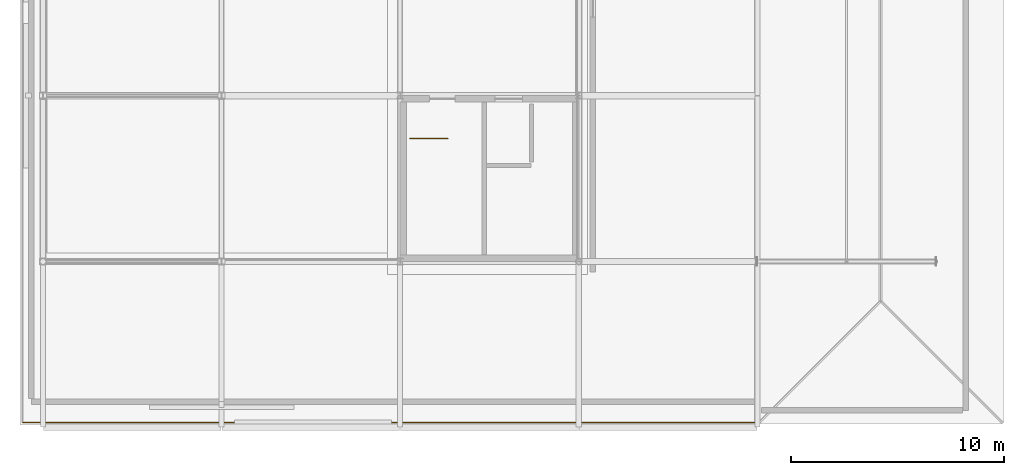
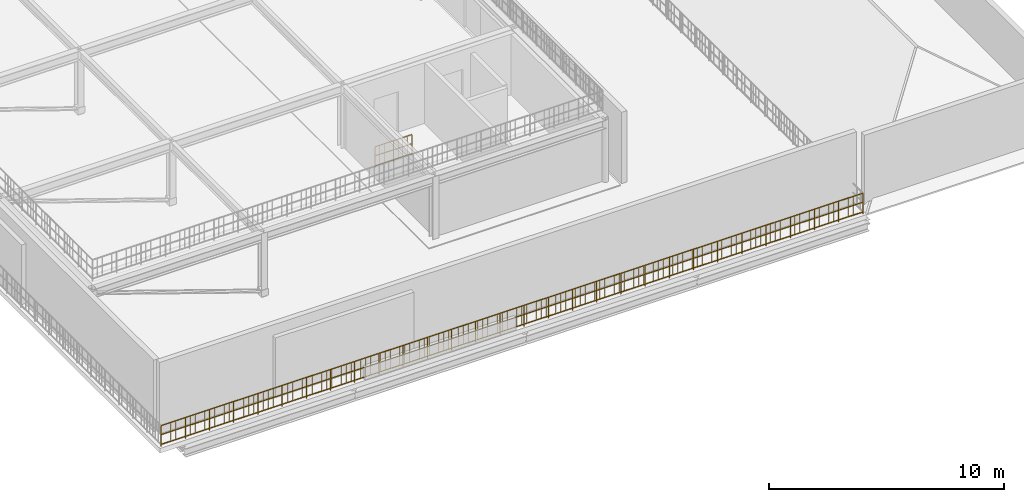
# One storey, part 9 of 16: 2 railings.
"""IFC4 building model written with IfcOpenShell, lengths in metres."""

from ifc_helpers import new_model, si_unit, direction, frame, origin, origin_2d, place, context, subcontext, project, spatial, circle, extrude, material, layer, layer_set, type_object, element, save


model = new_model("IFC4")

# Units and contexts
model_context = context("Model", 3, precision=1e-05, world=origin(), true_north=direction((0.0, 1.0)))
body_context = subcontext(model_context, "Body", "Model", "MODEL_VIEW")
ifc_project = project(units=[si_unit("LENGTHUNIT", "METRE"), si_unit("AREAUNIT", "SQUARE_METRE"), si_unit("VOLUMEUNIT", "CUBIC_METRE"), si_unit("PLANEANGLEUNIT", "RADIAN"), si_unit("MASSUNIT", "GRAM", prefix="KILO")], contexts=[model_context])

# Site, building, storey
site_placement = place(None, origin())
site = spatial("IfcSite", under=ifc_project, at=site_placement, CompositionType="ELEMENT")
building_placement = place(site_placement, origin())
building = spatial("IfcBuilding", under=site, at=building_placement, Name="Nabrawat Pavilion Hospital", CompositionType="ELEMENT")
storey_placement = place(building_placement, frame((0.0, 0.0, 35.10009765625)))
storey = spatial("IfcBuildingStorey", under=building, at=storey_placement, Name="Roof", CompositionType="ELEMENT", Elevation=35.10009765625)

# Railings
ifc_material = material(Name="Stainless Steel 316", Category="steel")
ifc_layer_1 = layer(ifc_material, 0.070068359375, Name="Stainless Steel 316")
ifc_layer_set_1 = layer_set([ifc_layer_1], Name="Stainless Steel 316")
railing_type_1 = type_object("IfcRailingType", Name="Exterior Clinical Terrace Safety Guardrail 1100", PredefinedType="GUARDRAIL", material=ifc_layer_set_1)
railing_1_placement = place(storey_placement, frame((150.239990234375, 39.239990234375, 0.0)))
element("IfcRailing", 1, at=railing_1_placement, inside=storey, type_object=railing_type_1, Name="Roof Headhouse Terrace Safety Guardrail South", PredefinedType="GUARDRAIL", context=body_context, shape_type="SweptSolid", body=[
    extrude(circle(Radius=0.02392578125, at=origin_2d()), frame((0.0, 0.0, 1.076171875), z_axis=(1.0, 0.0, 0.0), x_axis=(0.0, 1.0, 0.0)), (0.0, 0.0, 1.0), 34.43994140625),
    extrude(circle(Radius=0.02392578125, at=origin_2d()), frame((0.0, 0.0, 0.10009765625), z_axis=(1.0, 0.0, 0.0), x_axis=(0.0, 1.0, 0.0)), (0.0, 0.0, 1.0), 34.43994140625),
    extrude(circle(Radius=0.02392578125, at=origin_2d()), frame((0.0, 0.0, 0.60498046875), z_axis=(1.0, 0.0, 0.0), x_axis=(0.0, 1.0, 0.0)), (0.0, 0.0, 1.0), 34.43994140625),
    extrude(circle(Radius=0.008056640625, at=origin_2d()), frame((0.2392578125, 0.0, 0.10009765625)), (0.0, 0.0, 1.0), 0.951904296875),
    extrude(circle(Radius=0.008056640625, at=origin_2d()), frame((0.478271484375, 0.0, 0.10009765625)), (0.0, 0.0, 1.0), 0.951904296875),
    extrude(circle(Radius=0.008056640625, at=origin_2d()), frame((0.717529296875, 0.0, 0.10009765625)), (0.0, 0.0, 1.0), 0.951904296875),
    extrude(circle(Radius=0.008056640625, at=origin_2d()), frame((0.95654296875, 0.0, 0.10009765625)), (0.0, 0.0, 1.0), 0.951904296875),
    extrude(circle(Radius=0.008056640625, at=origin_2d()), frame((1.43505859375, 0.0, 0.10009765625)), (0.0, 0.0, 1.0), 0.951904296875),
    extrude(circle(Radius=0.008056640625, at=origin_2d()), frame((1.674072265625, 0.0, 0.10009765625)), (0.0, 0.0, 1.0), 0.951904296875),
    extrude(circle(Radius=0.008056640625, at=origin_2d()), frame((1.913330078125, 0.0, 0.10009765625)), (0.0, 0.0, 1.0), 0.951904296875),
    extrude(circle(Radius=0.008056640625, at=origin_2d()), frame((2.152587890625, 0.0, 0.10009765625)), (0.0, 0.0, 1.0), 0.951904296875),
    extrude(circle(Radius=0.008056640625, at=origin_2d()), frame((2.630859375, 0.0, 0.10009765625)), (0.0, 0.0, 1.0), 0.951904296875),
    extrude(circle(Radius=0.008056640625, at=origin_2d()), frame((2.8701171875, 0.0, 0.10009765625)), (0.0, 0.0, 1.0), 0.951904296875),
    extrude(circle(Radius=0.008056640625, at=origin_2d()), frame((3.109130859375, 0.0, 0.10009765625)), (0.0, 0.0, 1.0), 0.951904296875),
    extrude(circle(Radius=0.008056640625, at=origin_2d()), frame((3.348388671875, 0.0, 0.10009765625)), (0.0, 0.0, 1.0), 0.951904296875),
    extrude(circle(Radius=0.008056640625, at=origin_2d()), frame((3.82666015625, 0.0, 0.10009765625)), (0.0, 0.0, 1.0), 0.951904296875),
    extrude(circle(Radius=0.008056640625, at=origin_2d()), frame((4.06591796875, 0.0, 0.10009765625)), (0.0, 0.0, 1.0), 0.951904296875),
    extrude(circle(Radius=0.008056640625, at=origin_2d()), frame((4.304931640625, 0.0, 0.10009765625)), (0.0, 0.0, 1.0), 0.951904296875),
    extrude(circle(Radius=0.008056640625, at=origin_2d()), frame((4.544189453125, 0.0, 0.10009765625)), (0.0, 0.0, 1.0), 0.951904296875),
    extrude(circle(Radius=0.008056640625, at=origin_2d()), frame((5.0224609375, 0.0, 0.10009765625)), (0.0, 0.0, 1.0), 0.951904296875),
    extrude(circle(Radius=0.008056640625, at=origin_2d()), frame((5.26171875, 0.0, 0.10009765625)), (0.0, 0.0, 1.0), 0.951904296875),
    extrude(circle(Radius=0.008056640625, at=origin_2d()), frame((5.500732421875, 0.0, 0.10009765625)), (0.0, 0.0, 1.0), 0.951904296875),
    extrude(circle(Radius=0.008056640625, at=origin_2d()), frame((5.739990234375, 0.0, 0.10009765625)), (0.0, 0.0, 1.0), 0.951904296875),
    extrude(circle(Radius=0.008056640625, at=origin_2d()), frame((6.21826171875, 0.0, 0.10009765625)), (0.0, 0.0, 1.0), 0.951904296875),
    extrude(circle(Radius=0.008056640625, at=origin_2d()), frame((6.45751953125, 0.0, 0.10009765625)), (0.0, 0.0, 1.0), 0.951904296875),
    extrude(circle(Radius=0.008056640625, at=origin_2d()), frame((6.69677734375, 0.0, 0.10009765625)), (0.0, 0.0, 1.0), 0.951904296875),
    extrude(circle(Radius=0.008056640625, at=origin_2d()), frame((6.935791015625, 0.0, 0.10009765625)), (0.0, 0.0, 1.0), 0.951904296875),
    extrude(circle(Radius=0.008056640625, at=origin_2d()), frame((7.4140625, 0.0, 0.10009765625)), (0.0, 0.0, 1.0), 0.951904296875),
    extrude(circle(Radius=0.008056640625, at=origin_2d()), frame((7.6533203125, 0.0, 0.10009765625)), (0.0, 0.0, 1.0), 0.951904296875),
    extrude(circle(Radius=0.008056640625, at=origin_2d()), frame((7.892578125, 0.0, 0.10009765625)), (0.0, 0.0, 1.0), 0.951904296875),
    extrude(circle(Radius=0.008056640625, at=origin_2d()), frame((8.131591796875, 0.0, 0.10009765625)), (0.0, 0.0, 1.0), 0.951904296875),
    extrude(circle(Radius=0.008056640625, at=origin_2d()), frame((8.370849609375, 0.0, 0.10009765625)), (0.0, 0.0, 1.0), 0.951904296875),
    extrude(circle(Radius=0.008056640625, at=origin_2d()), frame((8.60986328125, 0.0, 0.10009765625)), (0.0, 0.0, 1.0), 0.951904296875),
    extrude(circle(Radius=0.008056640625, at=origin_2d()), frame((8.84912109375, 0.0, 0.10009765625)), (0.0, 0.0, 1.0), 0.951904296875),
    extrude(circle(Radius=0.008056640625, at=origin_2d()), frame((9.08837890625, 0.0, 0.10009765625)), (0.0, 0.0, 1.0), 0.951904296875),
    extrude(circle(Radius=0.008056640625, at=origin_2d()), frame((9.327392578125, 0.0, 0.10009765625)), (0.0, 0.0, 1.0), 0.951904296875),
    extrude(circle(Radius=0.008056640625, at=origin_2d()), frame((9.566650390625, 0.0, 0.10009765625)), (0.0, 0.0, 1.0), 0.951904296875),
    extrude(circle(Radius=0.008056640625, at=origin_2d()), frame((9.805908203125, 0.0, 0.10009765625)), (0.0, 0.0, 1.0), 0.951904296875),
    extrude(circle(Radius=0.008056640625, at=origin_2d()), frame((10.044921875, 0.0, 0.10009765625)), (0.0, 0.0, 1.0), 0.951904296875),
    extrude(circle(Radius=0.008056640625, at=origin_2d()), frame((10.2841796875, 0.0, 0.10009765625)), (0.0, 0.0, 1.0), 0.951904296875),
    extrude(circle(Radius=0.008056640625, at=origin_2d()), frame((10.5234375, 0.0, 0.10009765625)), (0.0, 0.0, 1.0), 0.951904296875),
    extrude(circle(Radius=0.008056640625, at=origin_2d()), frame((10.762451171875, 0.0, 0.10009765625)), (0.0, 0.0, 1.0), 0.951904296875),
    extrude(circle(Radius=0.008056640625, at=origin_2d()), frame((11.001708984375, 0.0, 0.10009765625)), (0.0, 0.0, 1.0), 0.951904296875),
    extrude(circle(Radius=0.008056640625, at=origin_2d()), frame((11.24072265625, 0.0, 0.10009765625)), (0.0, 0.0, 1.0), 0.951904296875),
    extrude(circle(Radius=0.008056640625, at=origin_2d()), frame((11.47998046875, 0.0, 0.10009765625)), (0.0, 0.0, 1.0), 0.951904296875),
    extrude(circle(Radius=0.008056640625, at=origin_2d()), frame((11.71923828125, 0.0, 0.10009765625)), (0.0, 0.0, 1.0), 0.951904296875),
    extrude(circle(Radius=0.008056640625, at=origin_2d()), frame((11.958251953125, 0.0, 0.10009765625)), (0.0, 0.0, 1.0), 0.951904296875),
    extrude(circle(Radius=0.008056640625, at=origin_2d()), frame((12.197509765625, 0.0, 0.10009765625)), (0.0, 0.0, 1.0), 0.951904296875),
    extrude(circle(Radius=0.008056640625, at=origin_2d()), frame((12.4365234375, 0.0, 0.10009765625)), (0.0, 0.0, 1.0), 0.951904296875),
    extrude(circle(Radius=0.008056640625, at=origin_2d()), frame((12.67578125, 0.0, 0.10009765625)), (0.0, 0.0, 1.0), 0.951904296875),
    extrude(circle(Radius=0.008056640625, at=origin_2d()), frame((12.9150390625, 0.0, 0.10009765625)), (0.0, 0.0, 1.0), 0.951904296875),
    extrude(circle(Radius=0.008056640625, at=origin_2d()), frame((13.154052734375, 0.0, 0.10009765625)), (0.0, 0.0, 1.0), 0.951904296875),
    extrude(circle(Radius=0.008056640625, at=origin_2d()), frame((13.393310546875, 0.0, 0.10009765625)), (0.0, 0.0, 1.0), 0.951904296875),
    extrude(circle(Radius=0.008056640625, at=origin_2d()), frame((13.632568359375, 0.0, 0.10009765625)), (0.0, 0.0, 1.0), 0.951904296875),
    extrude(circle(Radius=0.008056640625, at=origin_2d()), frame((13.87158203125, 0.0, 0.10009765625)), (0.0, 0.0, 1.0), 0.951904296875),
    extrude(circle(Radius=0.008056640625, at=origin_2d()), frame((14.11083984375, 0.0, 0.10009765625)), (0.0, 0.0, 1.0), 0.951904296875),
    extrude(circle(Radius=0.008056640625, at=origin_2d()), frame((14.35009765625, 0.0, 0.10009765625)), (0.0, 0.0, 1.0), 0.951904296875),
    extrude(circle(Radius=0.008056640625, at=origin_2d()), frame((14.589111328125, 0.0, 0.10009765625)), (0.0, 0.0, 1.0), 0.951904296875),
    extrude(circle(Radius=0.008056640625, at=origin_2d()), frame((14.828369140625, 0.0, 0.10009765625)), (0.0, 0.0, 1.0), 0.951904296875),
    extrude(circle(Radius=0.008056640625, at=origin_2d()), frame((15.0673828125, 0.0, 0.10009765625)), (0.0, 0.0, 1.0), 0.951904296875),
    extrude(circle(Radius=0.008056640625, at=origin_2d()), frame((15.306640625, 0.0, 0.10009765625)), (0.0, 0.0, 1.0), 0.951904296875),
    extrude(circle(Radius=0.008056640625, at=origin_2d()), frame((15.5458984375, 0.0, 0.10009765625)), (0.0, 0.0, 1.0), 0.951904296875),
    extrude(circle(Radius=0.008056640625, at=origin_2d()), frame((15.784912109375, 0.0, 0.10009765625)), (0.0, 0.0, 1.0), 0.951904296875),
    extrude(circle(Radius=0.008056640625, at=origin_2d()), frame((16.024169921875, 0.0, 0.10009765625)), (0.0, 0.0, 1.0), 0.951904296875),
    extrude(circle(Radius=0.008056640625, at=origin_2d()), frame((16.26318359375, 0.0, 0.10009765625)), (0.0, 0.0, 1.0), 0.951904296875),
    extrude(circle(Radius=0.008056640625, at=origin_2d()), frame((16.50244140625, 0.0, 0.10009765625)), (0.0, 0.0, 1.0), 0.951904296875),
    extrude(circle(Radius=0.008056640625, at=origin_2d()), frame((16.74169921875, 0.0, 0.10009765625)), (0.0, 0.0, 1.0), 0.951904296875),
    extrude(circle(Radius=0.008056640625, at=origin_2d()), frame((16.980712890625, 0.0, 0.10009765625)), (0.0, 0.0, 1.0), 0.951904296875),
    extrude(circle(Radius=0.008056640625, at=origin_2d()), frame((17.219970703125, 0.0, 0.10009765625)), (0.0, 0.0, 1.0), 0.951904296875),
    extrude(circle(Radius=0.008056640625, at=origin_2d()), frame((17.459228515625, 0.0, 0.10009765625)), (0.0, 0.0, 1.0), 0.951904296875),
    extrude(circle(Radius=0.008056640625, at=origin_2d()), frame((17.6982421875, 0.0, 0.10009765625)), (0.0, 0.0, 1.0), 0.951904296875),
    extrude(circle(Radius=0.008056640625, at=origin_2d()), frame((17.9375, 0.0, 0.10009765625)), (0.0, 0.0, 1.0), 0.951904296875),
    extrude(circle(Radius=0.008056640625, at=origin_2d()), frame((18.1767578125, 0.0, 0.10009765625)), (0.0, 0.0, 1.0), 0.951904296875),
    extrude(circle(Radius=0.008056640625, at=origin_2d()), frame((18.415771484375, 0.0, 0.10009765625)), (0.0, 0.0, 1.0), 0.951904296875),
    extrude(circle(Radius=0.008056640625, at=origin_2d()), frame((18.655029296875, 0.0, 0.10009765625)), (0.0, 0.0, 1.0), 0.951904296875),
    extrude(circle(Radius=0.008056640625, at=origin_2d()), frame((18.89404296875, 0.0, 0.10009765625)), (0.0, 0.0, 1.0), 0.951904296875),
    extrude(circle(Radius=0.008056640625, at=origin_2d()), frame((19.13330078125, 0.0, 0.10009765625)), (0.0, 0.0, 1.0), 0.951904296875),
    extrude(circle(Radius=0.008056640625, at=origin_2d()), frame((19.37255859375, 0.0, 0.10009765625)), (0.0, 0.0, 1.0), 0.951904296875),
    extrude(circle(Radius=0.008056640625, at=origin_2d()), frame((19.611572265625, 0.0, 0.10009765625)), (0.0, 0.0, 1.0), 0.951904296875),
    extrude(circle(Radius=0.008056640625, at=origin_2d()), frame((19.850830078125, 0.0, 0.10009765625)), (0.0, 0.0, 1.0), 0.951904296875),
    extrude(circle(Radius=0.008056640625, at=origin_2d()), frame((20.08984375, 0.0, 0.10009765625)), (0.0, 0.0, 1.0), 0.951904296875),
    extrude(circle(Radius=0.008056640625, at=origin_2d()), frame((20.3291015625, 0.0, 0.10009765625)), (0.0, 0.0, 1.0), 0.951904296875),
    extrude(circle(Radius=0.008056640625, at=origin_2d()), frame((20.568359375, 0.0, 0.10009765625)), (0.0, 0.0, 1.0), 0.951904296875),
    extrude(circle(Radius=0.008056640625, at=origin_2d()), frame((20.807373046875, 0.0, 0.10009765625)), (0.0, 0.0, 1.0), 0.951904296875),
    extrude(circle(Radius=0.008056640625, at=origin_2d()), frame((21.046630859375, 0.0, 0.10009765625)), (0.0, 0.0, 1.0), 0.951904296875),
    extrude(circle(Radius=0.008056640625, at=origin_2d()), frame((21.285888671875, 0.0, 0.10009765625)), (0.0, 0.0, 1.0), 0.951904296875),
    extrude(circle(Radius=0.008056640625, at=origin_2d()), frame((21.52490234375, 0.0, 0.10009765625)), (0.0, 0.0, 1.0), 0.951904296875),
    extrude(circle(Radius=0.008056640625, at=origin_2d()), frame((21.76416015625, 0.0, 0.10009765625)), (0.0, 0.0, 1.0), 0.951904296875),
    extrude(circle(Radius=0.008056640625, at=origin_2d()), frame((22.00341796875, 0.0, 0.10009765625)), (0.0, 0.0, 1.0), 0.951904296875),
    extrude(circle(Radius=0.008056640625, at=origin_2d()), frame((22.242431640625, 0.0, 0.10009765625)), (0.0, 0.0, 1.0), 0.951904296875),
    extrude(circle(Radius=0.008056640625, at=origin_2d()), frame((22.481689453125, 0.0, 0.10009765625)), (0.0, 0.0, 1.0), 0.951904296875),
    extrude(circle(Radius=0.008056640625, at=origin_2d()), frame((22.720703125, 0.0, 0.10009765625)), (0.0, 0.0, 1.0), 0.951904296875),
    extrude(circle(Radius=0.008056640625, at=origin_2d()), frame((22.9599609375, 0.0, 0.10009765625)), (0.0, 0.0, 1.0), 0.951904296875),
    extrude(circle(Radius=0.008056640625, at=origin_2d()), frame((23.19921875, 0.0, 0.10009765625)), (0.0, 0.0, 1.0), 0.951904296875),
    extrude(circle(Radius=0.008056640625, at=origin_2d()), frame((23.438232421875, 0.0, 0.10009765625)), (0.0, 0.0, 1.0), 0.951904296875),
    extrude(circle(Radius=0.008056640625, at=origin_2d()), frame((23.677490234375, 0.0, 0.10009765625)), (0.0, 0.0, 1.0), 0.951904296875),
    extrude(circle(Radius=0.008056640625, at=origin_2d()), frame((23.91650390625, 0.0, 0.10009765625)), (0.0, 0.0, 1.0), 0.951904296875),
    extrude(circle(Radius=0.008056640625, at=origin_2d()), frame((24.15576171875, 0.0, 0.10009765625)), (0.0, 0.0, 1.0), 0.951904296875),
    extrude(circle(Radius=0.008056640625, at=origin_2d()), frame((24.39501953125, 0.0, 0.10009765625)), (0.0, 0.0, 1.0), 0.951904296875),
    extrude(circle(Radius=0.008056640625, at=origin_2d()), frame((24.634033203125, 0.0, 0.10009765625)), (0.0, 0.0, 1.0), 0.951904296875),
    extrude(circle(Radius=0.008056640625, at=origin_2d()), frame((24.873291015625, 0.0, 0.10009765625)), (0.0, 0.0, 1.0), 0.951904296875),
    extrude(circle(Radius=0.008056640625, at=origin_2d()), frame((25.112548828125, 0.0, 0.10009765625)), (0.0, 0.0, 1.0), 0.951904296875),
    extrude(circle(Radius=0.008056640625, at=origin_2d()), frame((25.3515625, 0.0, 0.10009765625)), (0.0, 0.0, 1.0), 0.951904296875),
    extrude(circle(Radius=0.008056640625, at=origin_2d()), frame((25.5908203125, 0.0, 0.10009765625)), (0.0, 0.0, 1.0), 0.951904296875),
    extrude(circle(Radius=0.008056640625, at=origin_2d()), frame((25.830078125, 0.0, 0.10009765625)), (0.0, 0.0, 1.0), 0.951904296875),
    extrude(circle(Radius=0.008056640625, at=origin_2d()), frame((26.069091796875, 0.0, 0.10009765625)), (0.0, 0.0, 1.0), 0.951904296875),
    extrude(circle(Radius=0.008056640625, at=origin_2d()), frame((26.308349609375, 0.0, 0.10009765625)), (0.0, 0.0, 1.0), 0.951904296875),
    extrude(circle(Radius=0.008056640625, at=origin_2d()), frame((26.54736328125, 0.0, 0.10009765625)), (0.0, 0.0, 1.0), 0.951904296875),
    extrude(circle(Radius=0.008056640625, at=origin_2d()), frame((26.78662109375, 0.0, 0.10009765625)), (0.0, 0.0, 1.0), 0.951904296875),
    extrude(circle(Radius=0.008056640625, at=origin_2d()), frame((27.02587890625, 0.0, 0.10009765625)), (0.0, 0.0, 1.0), 0.951904296875),
    extrude(circle(Radius=0.008056640625, at=origin_2d()), frame((27.504150390625, 0.0, 0.10009765625)), (0.0, 0.0, 1.0), 0.951904296875),
    extrude(circle(Radius=0.008056640625, at=origin_2d()), frame((27.7431640625, 0.0, 0.10009765625)), (0.0, 0.0, 1.0), 0.951904296875),
    extrude(circle(Radius=0.008056640625, at=origin_2d()), frame((27.982421875, 0.0, 0.10009765625)), (0.0, 0.0, 1.0), 0.951904296875),
    extrude(circle(Radius=0.008056640625, at=origin_2d()), frame((28.2216796875, 0.0, 0.10009765625)), (0.0, 0.0, 1.0), 0.951904296875),
    extrude(circle(Radius=0.008056640625, at=origin_2d()), frame((28.699951171875, 0.0, 0.10009765625)), (0.0, 0.0, 1.0), 0.951904296875),
    extrude(circle(Radius=0.008056640625, at=origin_2d()), frame((28.939208984375, 0.0, 0.10009765625)), (0.0, 0.0, 1.0), 0.951904296875),
    extrude(circle(Radius=0.008056640625, at=origin_2d()), frame((29.17822265625, 0.0, 0.10009765625)), (0.0, 0.0, 1.0), 0.951904296875),
    extrude(circle(Radius=0.008056640625, at=origin_2d()), frame((29.41748046875, 0.0, 0.10009765625)), (0.0, 0.0, 1.0), 0.951904296875),
    extrude(circle(Radius=0.008056640625, at=origin_2d()), frame((29.895751953125, 0.0, 0.10009765625)), (0.0, 0.0, 1.0), 0.951904296875),
    extrude(circle(Radius=0.008056640625, at=origin_2d()), frame((30.135009765625, 0.0, 0.10009765625)), (0.0, 0.0, 1.0), 0.951904296875),
    extrude(circle(Radius=0.008056640625, at=origin_2d()), frame((30.3740234375, 0.0, 0.10009765625)), (0.0, 0.0, 1.0), 0.951904296875),
    extrude(circle(Radius=0.008056640625, at=origin_2d()), frame((30.61328125, 0.0, 0.10009765625)), (0.0, 0.0, 1.0), 0.951904296875),
    extrude(circle(Radius=0.008056640625, at=origin_2d()), frame((31.091552734375, 0.0, 0.10009765625)), (0.0, 0.0, 1.0), 0.951904296875),
    extrude(circle(Radius=0.008056640625, at=origin_2d()), frame((31.330810546875, 0.0, 0.10009765625)), (0.0, 0.0, 1.0), 0.951904296875),
    extrude(circle(Radius=0.008056640625, at=origin_2d()), frame((31.56982421875, 0.0, 0.10009765625)), (0.0, 0.0, 1.0), 0.951904296875),
    extrude(circle(Radius=0.008056640625, at=origin_2d()), frame((31.80908203125, 0.0, 0.10009765625)), (0.0, 0.0, 1.0), 0.951904296875),
    extrude(circle(Radius=0.008056640625, at=origin_2d()), frame((32.287353515625, 0.0, 0.10009765625)), (0.0, 0.0, 1.0), 0.951904296875),
    extrude(circle(Radius=0.008056640625, at=origin_2d()), frame((32.526611328125, 0.0, 0.10009765625)), (0.0, 0.0, 1.0), 0.951904296875),
    extrude(circle(Radius=0.008056640625, at=origin_2d()), frame((32.765869140625, 0.0, 0.10009765625)), (0.0, 0.0, 1.0), 0.951904296875),
    extrude(circle(Radius=0.008056640625, at=origin_2d()), frame((33.0048828125, 0.0, 0.10009765625)), (0.0, 0.0, 1.0), 0.951904296875),
    extrude(circle(Radius=0.008056640625, at=origin_2d()), frame((33.4833984375, 0.0, 0.10009765625)), (0.0, 0.0, 1.0), 0.951904296875),
    extrude(circle(Radius=0.008056640625, at=origin_2d()), frame((33.722412109375, 0.0, 0.10009765625)), (0.0, 0.0, 1.0), 0.951904296875),
    extrude(circle(Radius=0.008056640625, at=origin_2d()), frame((33.961669921875, 0.0, 0.10009765625)), (0.0, 0.0, 1.0), 0.951904296875),
    extrude(circle(Radius=0.008056640625, at=origin_2d()), frame((34.20068359375, 0.0, 0.10009765625)), (0.0, 0.0, 1.0), 0.951904296875),
    extrude(circle(Radius=0.02099609375, at=origin_2d()), origin(), (0.0, 0.0, 1.0), 1.052001953125),
    extrude(circle(Radius=0.02099609375, at=origin_2d()), frame((1.1875, 0.0, 0.0)), (0.0, 0.0, 1.0), 1.052001953125),
    extrude(circle(Radius=0.02099609375, at=origin_2d()), frame((2.375244140625, 0.0, 0.0)), (0.0, 0.0, 1.0), 1.052001953125),
    extrude(circle(Radius=0.02099609375, at=origin_2d()), frame((3.562744140625, 0.0, 0.0)), (0.0, 0.0, 1.0), 1.052001953125),
    extrude(circle(Radius=0.02099609375, at=origin_2d()), frame((4.750244140625, 0.0, 0.0)), (0.0, 0.0, 1.0), 1.052001953125),
    extrude(circle(Radius=0.02099609375, at=origin_2d()), frame((5.93798828125, 0.0, 0.0)), (0.0, 0.0, 1.0), 1.052001953125),
    extrude(circle(Radius=0.02099609375, at=origin_2d()), frame((7.12548828125, 0.0, 0.0)), (0.0, 0.0, 1.0), 1.052001953125),
    extrude(circle(Radius=0.02099609375, at=origin_2d()), frame((8.31298828125, 0.0, 0.0)), (0.0, 0.0, 1.0), 1.052001953125),
    extrude(circle(Radius=0.02099609375, at=origin_2d()), frame((9.500732421875, 0.0, 0.0)), (0.0, 0.0, 1.0), 1.052001953125),
    extrude(circle(Radius=0.02099609375, at=origin_2d()), frame((10.688232421875, 0.0, 0.0)), (0.0, 0.0, 1.0), 1.052001953125),
    extrude(circle(Radius=0.02099609375, at=origin_2d()), frame((11.875732421875, 0.0, 0.0)), (0.0, 0.0, 1.0), 1.052001953125),
    extrude(circle(Radius=0.02099609375, at=origin_2d()), frame((13.0634765625, 0.0, 0.0)), (0.0, 0.0, 1.0), 1.052001953125),
    extrude(circle(Radius=0.02099609375, at=origin_2d()), frame((14.2509765625, 0.0, 0.0)), (0.0, 0.0, 1.0), 1.052001953125),
    extrude(circle(Radius=0.02099609375, at=origin_2d()), frame((15.4384765625, 0.0, 0.0)), (0.0, 0.0, 1.0), 1.052001953125),
    extrude(circle(Radius=0.02099609375, at=origin_2d()), frame((16.626220703125, 0.0, 0.0)), (0.0, 0.0, 1.0), 1.052001953125),
    extrude(circle(Radius=0.02099609375, at=origin_2d()), frame((17.813720703125, 0.0, 0.0)), (0.0, 0.0, 1.0), 1.052001953125),
    extrude(circle(Radius=0.02099609375, at=origin_2d()), frame((19.00146484375, 0.0, 0.0)), (0.0, 0.0, 1.0), 1.052001953125),
    extrude(circle(Radius=0.02099609375, at=origin_2d()), frame((20.18896484375, 0.0, 0.0)), (0.0, 0.0, 1.0), 1.052001953125),
    extrude(circle(Radius=0.02099609375, at=origin_2d()), frame((21.37646484375, 0.0, 0.0)), (0.0, 0.0, 1.0), 1.052001953125),
    extrude(circle(Radius=0.02099609375, at=origin_2d()), frame((22.564208984375, 0.0, 0.0)), (0.0, 0.0, 1.0), 1.052001953125),
    extrude(circle(Radius=0.02099609375, at=origin_2d()), frame((23.751708984375, 0.0, 0.0)), (0.0, 0.0, 1.0), 1.052001953125),
    extrude(circle(Radius=0.02099609375, at=origin_2d()), frame((24.939208984375, 0.0, 0.0)), (0.0, 0.0, 1.0), 1.052001953125),
    extrude(circle(Radius=0.02099609375, at=origin_2d()), frame((26.126953125, 0.0, 0.0)), (0.0, 0.0, 1.0), 1.052001953125),
    extrude(circle(Radius=0.02099609375, at=origin_2d()), frame((27.314453125, 0.0, 0.0)), (0.0, 0.0, 1.0), 1.052001953125),
    extrude(circle(Radius=0.02099609375, at=origin_2d()), frame((28.501953125, 0.0, 0.0)), (0.0, 0.0, 1.0), 1.052001953125),
    extrude(circle(Radius=0.02099609375, at=origin_2d()), frame((29.689697265625, 0.0, 0.0)), (0.0, 0.0, 1.0), 1.052001953125),
    extrude(circle(Radius=0.02099609375, at=origin_2d()), frame((30.877197265625, 0.0, 0.0)), (0.0, 0.0, 1.0), 1.052001953125),
    extrude(circle(Radius=0.02099609375, at=origin_2d()), frame((32.064697265625, 0.0, 0.0)), (0.0, 0.0, 1.0), 1.052001953125),
    extrude(circle(Radius=0.02099609375, at=origin_2d()), frame((33.25244140625, 0.0, 0.0)), (0.0, 0.0, 1.0), 1.052001953125),
    extrude(circle(Radius=0.02099609375, at=origin_2d()), frame((34.43994140625, 0.0, 0.0)), (0.0, 0.0, 1.0), 1.052001953125),
])
ifc_layer_2 = layer(ifc_material, 0.050048828125, Name="Stainless Steel 316")
ifc_layer_set_2 = layer_set([ifc_layer_2], Name="Stainless Steel 316")
railing_type_2 = type_object("IfcRailingType", Name="Stair Open-Well Safety Guardrail 1100", PredefinedType="GUARDRAIL", material=ifc_layer_set_2)
railing_2_placement = place(storey_placement, frame((168.449951171875, 52.580078125, 0.0)))
element("IfcRailing", 2, at=railing_2_placement, inside=storey, type_object=railing_type_2, Name="Roof ST-05 top well guard 1", PredefinedType="GUARDRAIL", context=body_context, shape_type="SweptSolid", body=[
    extrude(circle(Radius=0.02392578125, at=origin_2d()), frame((0.0, 0.0, 1.076171875), z_axis=(1.0, 0.0, 0.0), x_axis=(0.0, 1.0, 0.0)), (0.0, 0.0, 1.0), 1.800048828125),
    extrude(circle(Radius=0.02392578125, at=origin_2d()), frame((0.0, 0.0, 0.10009765625), z_axis=(1.0, 0.0, 0.0), x_axis=(0.0, 1.0, 0.0)), (0.0, 0.0, 1.0), 1.800048828125),
    extrude(circle(Radius=0.02392578125, at=origin_2d()), frame((0.0, 0.0, 0.60498046875), z_axis=(1.0, 0.0, 0.0), x_axis=(0.0, 1.0, 0.0)), (0.0, 0.0, 1.0), 1.800048828125),
    extrude(circle(Radius=0.008056640625, at=origin_2d()), frame((0.22509765625, 0.0, 0.10009765625)), (0.0, 0.0, 1.0), 0.951904296875),
    extrude(circle(Radius=0.008056640625, at=origin_2d()), frame((0.449951171875, 0.0, 0.10009765625)), (0.0, 0.0, 1.0), 0.951904296875),
    extrude(circle(Radius=0.008056640625, at=origin_2d()), frame((0.675048828125, 0.0, 0.10009765625)), (0.0, 0.0, 1.0), 0.951904296875),
    extrude(circle(Radius=0.008056640625, at=origin_2d()), frame((1.125, 0.0, 0.10009765625)), (0.0, 0.0, 1.0), 0.951904296875),
    extrude(circle(Radius=0.008056640625, at=origin_2d()), frame((1.35009765625, 0.0, 0.10009765625)), (0.0, 0.0, 1.0), 0.951904296875),
    extrude(circle(Radius=0.008056640625, at=origin_2d()), frame((1.574951171875, 0.0, 0.10009765625)), (0.0, 0.0, 1.0), 0.951904296875),
    extrude(circle(Radius=0.02099609375, at=origin_2d()), origin(), (0.0, 0.0, 1.0), 1.052001953125),
    extrude(circle(Radius=0.02099609375, at=origin_2d()), frame((0.89990234375, 0.0, 0.0)), (0.0, 0.0, 1.0), 1.052001953125),
    extrude(circle(Radius=0.02099609375, at=origin_2d()), frame((1.800048828125, 0.0, 0.0)), (0.0, 0.0, 1.0), 1.052001953125),
])

save(model, "model.ifc")
